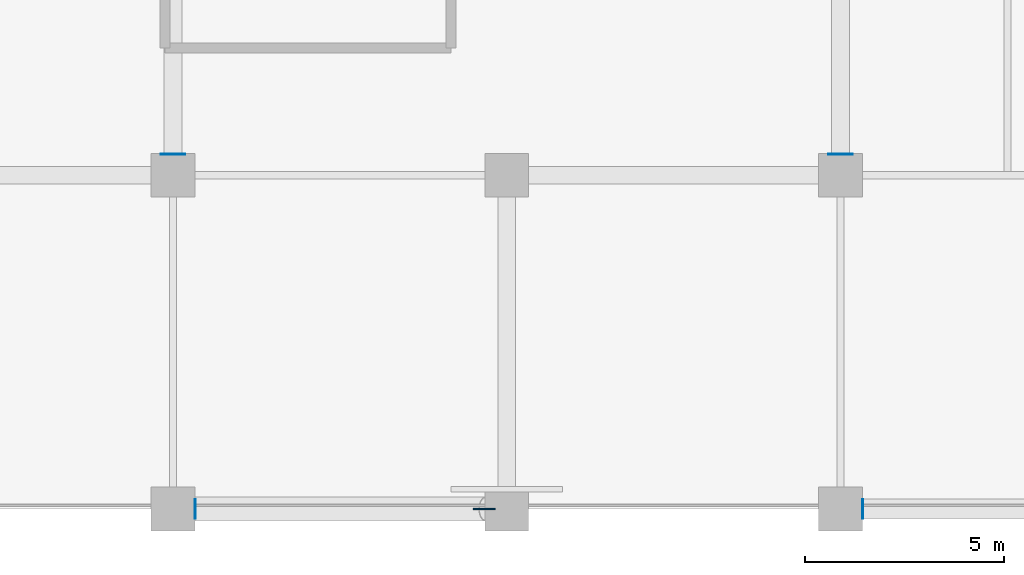
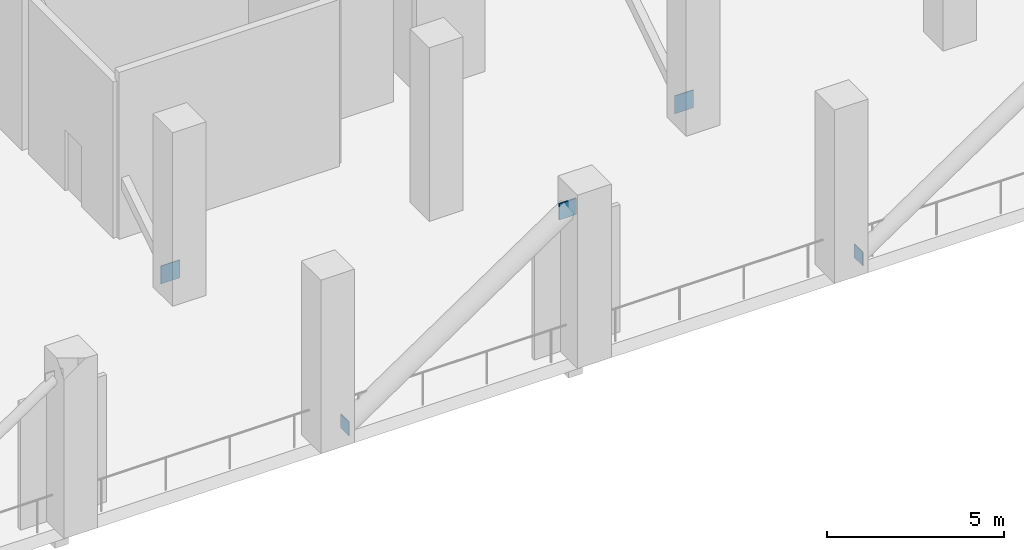
# One storey, part 6 of 18: 5 plates.
"""IFC4 building model written with IfcOpenShell, lengths in metres."""

from ifc_helpers import new_model, si_unit, direction, frame, origin, origin_2d, place, context, subcontext, project, spatial, rectangle, extrude, material, layer, layer_set, type_object, element, save


model = new_model("IFC4")

# Units and contexts
model_context = context("Model", 3, precision=1e-05, world=origin(), true_north=direction((0.0, 1.0)))
body_context = subcontext(model_context, "Body", "Model", "MODEL_VIEW")
ifc_project = project(units=[si_unit("LENGTHUNIT", "METRE"), si_unit("AREAUNIT", "SQUARE_METRE"), si_unit("VOLUMEUNIT", "CUBIC_METRE"), si_unit("PLANEANGLEUNIT", "RADIAN"), si_unit("MASSUNIT", "GRAM", prefix="KILO")], contexts=[model_context])

# Site, building, storey
site_placement = place(None, origin())
site = spatial("IfcSite", under=ifc_project, at=site_placement, CompositionType="ELEMENT")
building_placement = place(site_placement, origin())
building = spatial("IfcBuilding", under=site, at=building_placement, Name="Koriwani Terraces Tower", CompositionType="ELEMENT")
storey_placement = place(building_placement, frame((0.0, 0.0, 228.199951171875)))
storey = spatial("IfcBuildingStorey", under=building, at=storey_placement, Name="L56", CompositionType="ELEMENT", Elevation=228.199951171875)

# Plates
ifc_material = material(Name="Steel ASTM A572 Grade 50", Category="steel")
ifc_layer_1 = layer(ifc_material, 0.02490234375, Name="Steel ASTM A572 Grade 50")
ifc_layer_set_1 = layer_set([ifc_layer_1], Name="Steel ASTM A572 Grade 50")
plate_type_1 = type_object("IfcPlateType", Name="STEEL_CAP_PLATE_25", PredefinedType="USERDEFINED", material=ifc_layer_set_1)
for number, where, z_axis, x_axis, name in (
    (1, (42.0, 8.929931640625, 0.0400390625), (0.0, 0.0, 1.0), (0.0, 1.0, 0.0), "Outrigger truss hollow end cap plate L56-OE-S1"),
    (2, (58.800048828125, 8.929931640625, 0.0400390625), (0.0, 0.0, 1.0), (0.0, 1.0, 0.0), "Outrigger truss hollow end cap plate L56-OE-S2"),
):
    element("IfcPlate", number, at=place(storey_placement, frame(where, z_axis=z_axis, x_axis=x_axis)), inside=storey, type_object=plate_type_1, Name=name, ObjectType="FLANGE_PLATE", PredefinedType="USERDEFINED", context=body_context, shape_type="SweptSolid", body=[
        extrude(rectangle(XDim=0.02490234375, YDim=0.6201171875, at=origin_2d()), origin(), (0.0, 0.0, 1.0), 0.6201171875),
    ])
for number, where, z_axis, x_axis, name in (
    (3, (42.56298828125, 0.0, 0.032470703125), (0.0, 0.0, 1.0), (1.0, 0.0, 0.0), "Brace End Cap Plate BT-L56-BS3"),
    (4, (59.363037109375, 0.0, 0.032470703125), (0.0, 0.0, 1.0), (1.0, 0.0, 0.0), "Brace End Cap Plate BT-L56-BS4"),
):
    element("IfcPlate", number, at=place(storey_placement, frame(where, z_axis=z_axis, x_axis=x_axis)), inside=storey, type_object=plate_type_1, Name=name, ObjectType="FLANGE_PLATE", PredefinedType="USERDEFINED", context=body_context, shape_type="SweptSolid", body=[
        extrude(rectangle(XDim=0.02490234375, YDim=0.47998046875, at=origin_2d()), origin(), (0.0, 0.0, 1.0), 0.47998046875),
    ])
ifc_layer_2 = layer(ifc_material, 0.0400390625, Name="Steel ASTM A572 Grade 50")
ifc_layer_set_2 = layer_set([ifc_layer_2], Name="Steel ASTM A572 Grade 50")
plate_type_2 = type_object("IfcPlateType", Name="STEEL_GUSSET_PLATE_40", PredefinedType="USERDEFINED", material=ifc_layer_set_2)
plate_placement = place(storey_placement, frame((49.8369140625, 0.0, 4.917724609375), z_axis=(0.0, 0.0, 1.0), x_axis=(1.0, 0.0, 0.0)))
element("IfcPlate", 5, at=plate_placement, inside=storey, type_object=plate_type_2, Name="Brace Node Gusset Plate BT-L56-BS3", ObjectType="GUSSET_PLATE", PredefinedType="USERDEFINED", context=body_context, shape_type="SweptSolid", body=[
    extrude(rectangle(XDim=0.56005859375, YDim=0.0400390625, at=origin_2d()), origin(), (0.0, 0.0, 1.0), 0.56005859375),
])

save(model, "model.ifc")
